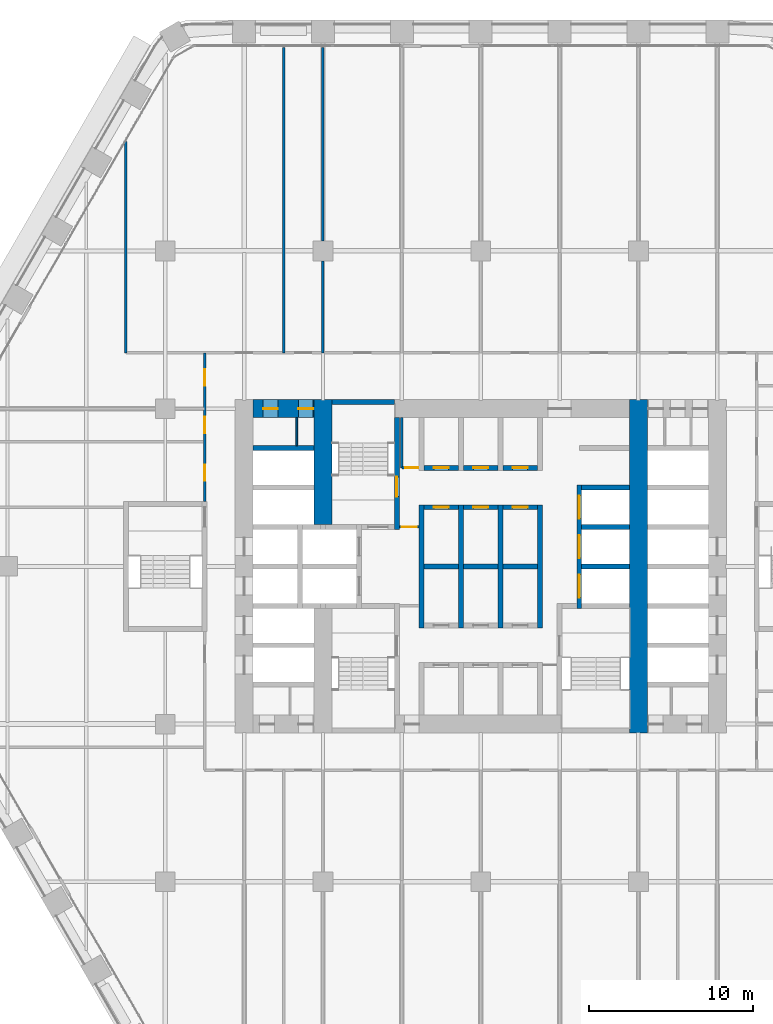
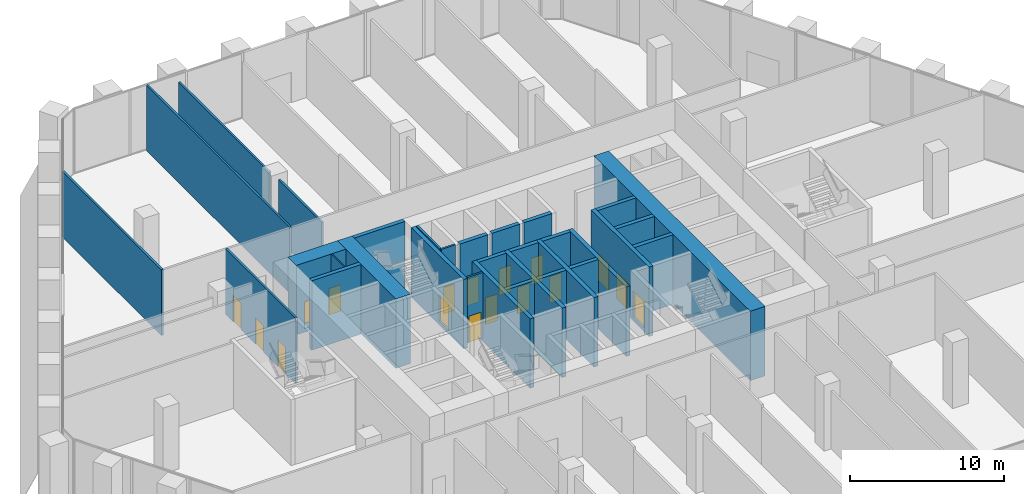
# One storey, part 20 of 27: 32 walls, 17 doors, 17 openings.
"""IFC4 building model written with IfcOpenShell, lengths in metres."""

from ifc_helpers import new_model, si_unit, direction, frame, frame_2d, origin, place, context, subcontext, project, spatial, rectangle, extrude, material, layer, layer_set, type_object, element, fill, save


model = new_model("IFC4")

# Units and contexts
model_context = context("Model", 3, precision=1e-05, world=origin(), true_north=direction((0.0, 1.0)))
body_context = subcontext(model_context, "Body", "Model", "MODEL_VIEW")
ifc_project = project(units=[si_unit("LENGTHUNIT", "METRE"), si_unit("AREAUNIT", "SQUARE_METRE"), si_unit("VOLUMEUNIT", "CUBIC_METRE"), si_unit("PLANEANGLEUNIT", "RADIAN"), si_unit("MASSUNIT", "GRAM", prefix="KILO")], contexts=[model_context])

# Site, building, storey
site_placement = place(None, origin())
site = spatial("IfcSite", under=ifc_project, at=site_placement, CompositionType="ELEMENT")
building_placement = place(site_placement, origin())
building = spatial("IfcBuilding", under=site, at=building_placement, Name="Kolab Exchange Tower", CompositionType="ELEMENT")
storey_placement = place(building_placement, frame((0.0, 0.0, 66.39990234375)))
storey = spatial("IfcBuildingStorey", under=building, at=storey_placement, Name="L12", CompositionType="ELEMENT", Elevation=66.39990234375)

# Wall, openings, doors
ifc_material_1 = material(Name="Concrete C80/95", Category="concrete")
ifc_layer_1 = layer(ifc_material_1, 1.10009765625)
ifc_layer_set_1 = layer_set([ifc_layer_1], Name="Concrete C80/95")
wall_type_1 = type_object("IfcWallType", Name="CORE WALL 1100 C80/95", PredefinedType="SHEAR", material=ifc_layer_set_1)
wall_1_placement = place(storey_placement, frame((-13.85009765625, 9.60009765625, -0.2998046875), z_axis=(0.0, 0.0, 1.0), x_axis=(1.0, 0.0, 0.0)))
wall_1 = element("IfcWall", 1, at=wall_1_placement, inside=storey, type_object=wall_type_1, Name="wall/L12/core/051", PredefinedType="SHEAR", context=body_context, shape_type="SweptSolid", body=[
    extrude(rectangle(XDim=3.7001953125, YDim=1.10009765625, at=frame_2d((1.85009765625, 0.0))), origin(), (0.0, 0.0, 1.0), 5.5),
])
opening_1_placement = place(wall_1_placement, frame((0.60009765625, 0.0, 0.300048828125)))
opening_1 = element("IfcOpeningElement", 2, at=opening_1_placement, cuts=wall_1, Name="Opening D6-159", PredefinedType="OPENING", context=body_context, shape_type="SweptSolid", body=[
    extrude(rectangle(XDim=0.89990234375, YDim=2.10009765625, at=frame_2d((0.449951171875, 1.050048828125))), frame((0.0, 0.56005859375, 0.0), z_axis=(0.0, -1.0, 0.0), x_axis=(1.0, 0.0, 0.0)), (0.0, 0.0, 1.0), 1.1201171875),
])
opening_2_placement = place(wall_1_placement, frame((2.75, 0.0, 0.300048828125)))
opening_2 = element("IfcOpeningElement", 3, at=opening_2_placement, cuts=wall_1, Name="Opening D6-160", PredefinedType="OPENING", context=body_context, shape_type="SweptSolid", body=[
    extrude(rectangle(XDim=0.89990234375, YDim=2.10009765625, at=frame_2d((0.449951171875, 1.050048828125))), frame((0.0, 0.56005859375, 0.0), z_axis=(0.0, -1.0, 0.0), x_axis=(1.0, 0.0, 0.0)), (0.0, 0.0, 1.0), 1.1201171875),
])
ifc_material_2 = material(Name="Steel S235", Category="steel")
door_type_1 = type_object("IfcDoorType", Name="CORE DOOR 900 EI 120", OperationType="SINGLE_SWING_LEFT", PredefinedType="DOOR", material=ifc_material_2)
door_1_placement = place(opening_1_placement, frame((0.89990234375, 0.0, 0.0), z_axis=(0.0, 0.0, 1.0), x_axis=(-1.0, 0.0, 0.0)))
door_1 = element("IfcDoor", 4, at=door_1_placement, inside=storey, type_object=door_type_1, Name="Service room door", OperationType="SINGLE_SWING_RIGHT", OverallHeight=2.10009765625, OverallWidth=0.89990234375, PredefinedType="DOOR", context=body_context, shape_type="SweptSolid", body=[
    extrude(rectangle(XDim=0.89990234375, YDim=2.10009765625, at=frame_2d((0.449951171875, 1.050048828125))), frame((0.0, 0.02490234375, 0.0), z_axis=(0.0, -1.0, 0.0), x_axis=(1.0, 0.0, 0.0)), (0.0, 0.0, 1.0), 0.050048828125),
])
fill(opening_1, door_1)
door_2_placement = place(opening_2_placement, frame((0.89990234375, 0.0, 0.0), z_axis=(0.0, 0.0, 1.0), x_axis=(-1.0, 0.0, 0.0)))
door_2 = element("IfcDoor", 5, at=door_2_placement, inside=storey, type_object=door_type_1, Name="Service room door", OperationType="SINGLE_SWING_LEFT", OverallHeight=2.10009765625, OverallWidth=0.89990234375, PredefinedType="DOOR", context=body_context, shape_type="SweptSolid", body=[
    extrude(rectangle(XDim=0.89990234375, YDim=2.10009765625, at=frame_2d((0.449951171875, 1.050048828125))), frame((0.0, 0.02490234375, 0.0), z_axis=(0.0, -1.0, 0.0), x_axis=(1.0, 0.0, 0.0)), (0.0, 0.0, 1.0), 0.050048828125),
])
fill(opening_2, door_2)

# Walls
wall_2_placement = place(storey_placement, frame((-9.60009765625, 2.550048828125, -0.2998046875), z_axis=(0.0, 0.0, 1.0), x_axis=(0.0, 1.0, 0.0)))
element("IfcWall", 6, at=wall_2_placement, inside=storey, type_object=wall_type_1, Name="wall/L12/core/062", PredefinedType="SHEAR", context=body_context, shape_type="SweptSolid", body=[
    extrude(rectangle(XDim=7.599853515625, YDim=1.10009765625, at=frame_2d((3.7998046875, 0.0))), origin(), (0.0, 0.0, 1.0), 5.5),
])
wall_3_placement = place(storey_placement, frame((9.60009765625, -10.14990234375, -0.2998046875), z_axis=(0.0, 0.0, 1.0), x_axis=(0.0, 1.0, 0.0)))
element("IfcWall", 7, at=wall_3_placement, inside=storey, type_object=wall_type_1, Name="wall/L12/core/080", PredefinedType="SHEAR", context=body_context, shape_type="SweptSolid", body=[
    extrude(rectangle(XDim=20.2998046875, YDim=1.10009765625, at=frame_2d((10.14990234375, 0.0))), origin(), (0.0, 0.0, 1.0), 5.5),
])
ifc_material_3 = material(Name="Concrete C50/60", Category="concrete")
ifc_layer_2 = layer(ifc_material_3, 0.300048828125)
ifc_layer_set_2 = layer_set([ifc_layer_2], Name="Concrete C50/60")
wall_type_2 = type_object("IfcWallType", Name="LIFT SHAFT WALL 300 C50/60", PredefinedType="STANDARD", material=ifc_layer_set_2)
wall_4_placement = place(storey_placement, frame((-3.449951171875, 0.0, -0.2998046875), z_axis=(0.0, 0.0, 1.0), x_axis=(1.0, 0.0, 0.0)))
element("IfcWall", 8, at=wall_4_placement, inside=storey, type_object=wall_type_2, Name="wall/L12/core/026", PredefinedType="STANDARD", context=body_context, shape_type="SweptSolid", body=[
    extrude(rectangle(XDim=2.099853515625, YDim=0.300048828125, at=frame_2d((1.0498046875, 0.0))), origin(), (0.0, 0.0, 1.0), 5.5),
])
wall_5_placement = place(storey_placement, frame((-1.050048828125, 0.0, -0.2998046875), z_axis=(0.0, 0.0, 1.0), x_axis=(1.0, 0.0, 0.0)))
element("IfcWall", 9, at=wall_5_placement, inside=storey, type_object=wall_type_2, Name="wall/L12/core/027", PredefinedType="STANDARD", context=body_context, shape_type="SweptSolid", body=[
    extrude(rectangle(XDim=2.10009765625, YDim=0.300048828125, at=frame_2d((1.050048828125, 0.0))), origin(), (0.0, 0.0, 1.0), 5.5),
])
wall_6_placement = place(storey_placement, frame((1.35009765625, 0.0, -0.2998046875), z_axis=(0.0, 0.0, 1.0), x_axis=(1.0, 0.0, 0.0)))
element("IfcWall", 10, at=wall_6_placement, inside=storey, type_object=wall_type_2, Name="wall/L12/core/028", PredefinedType="STANDARD", context=body_context, shape_type="SweptSolid", body=[
    extrude(rectangle(XDim=2.099853515625, YDim=0.300048828125, at=frame_2d((1.0498046875, 0.0))), origin(), (0.0, 0.0, 1.0), 5.5),
])
for number, where, z_axis, x_axis, name in (
    (11, (6.14990234375, 0.0, -0.2998046875), (0.0, 0.0, 1.0), (1.0, 0.0, 0.0), "wall/L12/core/029"),
    (12, (6.14990234375, 2.39990234375, -0.2998046875), (0.0, 0.0, 1.0), (1.0, 0.0, 0.0), "wall/L12/core/035"),
):
    element("IfcWall", number, at=place(storey_placement, frame(where, z_axis=z_axis, x_axis=x_axis)), inside=storey, type_object=wall_type_2, Name=name, PredefinedType="STANDARD", context=body_context, shape_type="SweptSolid", body=[
        extrude(rectangle(XDim=2.900146484375, YDim=0.300048828125, at=frame_2d((1.4501953125, 0.0))), origin(), (0.0, 0.0, 1.0), 5.5),
    ])

# Wall, opening, door
wall_7_placement = place(storey_placement, frame((-3.449951171875, 3.60009765625, -0.2998046875), z_axis=(0.0, 0.0, 1.0), x_axis=(1.0, 0.0, 0.0)))
wall_7 = element("IfcWall", 13, at=wall_7_placement, inside=storey, type_object=wall_type_2, Name="wall/L12/core/037", PredefinedType="STANDARD", context=body_context, shape_type="SweptSolid", body=[
    extrude(rectangle(XDim=2.099853515625, YDim=0.300048828125, at=frame_2d((1.0498046875, 0.0))), origin(), (0.0, 0.0, 1.0), 5.5),
])
opening_3_placement = place(wall_7_placement, frame((0.60009765625, 0.0, 0.300048828125)))
opening_3 = element("IfcOpeningElement", 14, at=opening_3_placement, cuts=wall_7, Name="Opening D6-151", PredefinedType="OPENING", context=body_context, shape_type="SweptSolid", body=[
    extrude(rectangle(XDim=0.89990234375, YDim=2.10009765625, at=frame_2d((0.449951171875, 1.050048828125))), frame((0.0, 0.16015625, 0.0), z_axis=(0.0, -1.0, 0.0), x_axis=(1.0, 0.0, 0.0)), (0.0, 0.0, 1.0), 0.320068359375),
])
door_3_placement = place(opening_3_placement, frame((0.89990234375, 0.0, 0.0), z_axis=(0.0, 0.0, 1.0), x_axis=(-1.0, 0.0, 0.0)))
door_3 = element("IfcDoor", 15, at=door_3_placement, inside=storey, type_object=door_type_1, Name="Service room door", OperationType="SINGLE_SWING_LEFT", OverallHeight=2.10009765625, OverallWidth=0.89990234375, PredefinedType="DOOR", context=body_context, shape_type="SweptSolid", body=[
    extrude(rectangle(XDim=0.89990234375, YDim=2.10009765625, at=frame_2d((0.449951171875, 1.050048828125))), frame((0.0, 0.02490234375, 0.0), z_axis=(0.0, -1.0, 0.0), x_axis=(1.0, 0.0, 0.0)), (0.0, 0.0, 1.0), 0.050048828125),
])
fill(opening_3, door_3)

wall_8_placement = place(storey_placement, frame((-1.050048828125, 3.60009765625, -0.2998046875), z_axis=(0.0, 0.0, 1.0), x_axis=(1.0, 0.0, 0.0)))
wall_8 = element("IfcWall", 16, at=wall_8_placement, inside=storey, type_object=wall_type_2, Name="wall/L12/core/038", PredefinedType="STANDARD", context=body_context, shape_type="SweptSolid", body=[
    extrude(rectangle(XDim=2.10009765625, YDim=0.300048828125, at=frame_2d((1.050048828125, 0.0))), origin(), (0.0, 0.0, 1.0), 5.5),
])
opening_4_placement = place(wall_8_placement, frame((0.60009765625, 0.0, 0.300048828125)))
opening_4 = element("IfcOpeningElement", 17, at=opening_4_placement, cuts=wall_8, Name="Opening D6-150", PredefinedType="OPENING", context=body_context, shape_type="SweptSolid", body=[
    extrude(rectangle(XDim=0.89990234375, YDim=2.10009765625, at=frame_2d((0.449951171875, 1.050048828125))), frame((0.0, 0.16015625, 0.0), z_axis=(0.0, -1.0, 0.0), x_axis=(1.0, 0.0, 0.0)), (0.0, 0.0, 1.0), 0.320068359375),
])
door_4_placement = place(opening_4_placement, frame((0.89990234375, 0.0, 0.0), z_axis=(0.0, 0.0, 1.0), x_axis=(-1.0, 0.0, 0.0)))
door_4 = element("IfcDoor", 18, at=door_4_placement, inside=storey, type_object=door_type_1, Name="Service room door", OperationType="SINGLE_SWING_LEFT", OverallHeight=2.10009765625, OverallWidth=0.89990234375, PredefinedType="DOOR", context=body_context, shape_type="SweptSolid", body=[
    extrude(rectangle(XDim=0.89990234375, YDim=2.10009765625, at=frame_2d((0.449951171875, 1.050048828125))), frame((0.0, 0.02490234375, 0.0), z_axis=(0.0, -1.0, 0.0), x_axis=(1.0, 0.0, 0.0)), (0.0, 0.0, 1.0), 0.050048828125),
])
fill(opening_4, door_4)

wall_9_placement = place(storey_placement, frame((1.35009765625, 3.60009765625, -0.2998046875), z_axis=(0.0, 0.0, 1.0), x_axis=(1.0, 0.0, 0.0)))
wall_9 = element("IfcWall", 19, at=wall_9_placement, inside=storey, type_object=wall_type_2, Name="wall/L12/core/039", PredefinedType="STANDARD", context=body_context, shape_type="SweptSolid", body=[
    extrude(rectangle(XDim=2.099853515625, YDim=0.300048828125, at=frame_2d((1.0498046875, 0.0))), origin(), (0.0, 0.0, 1.0), 5.5),
])
opening_5_placement = place(wall_9_placement, frame((0.60009765625, 0.0, 0.300048828125)))
opening_5 = element("IfcOpeningElement", 20, at=opening_5_placement, cuts=wall_9, Name="Opening D6-149", PredefinedType="OPENING", context=body_context, shape_type="SweptSolid", body=[
    extrude(rectangle(XDim=0.89990234375, YDim=2.10009765625, at=frame_2d((0.449951171875, 1.050048828125))), frame((0.0, 0.16015625, 0.0), z_axis=(0.0, -1.0, 0.0), x_axis=(1.0, 0.0, 0.0)), (0.0, 0.0, 1.0), 0.320068359375),
])
door_5_placement = place(opening_5_placement, frame((0.89990234375, 0.0, 0.0), z_axis=(0.0, 0.0, 1.0), x_axis=(-1.0, 0.0, 0.0)))
door_5 = element("IfcDoor", 21, at=door_5_placement, inside=storey, type_object=door_type_1, Name="Service room door", OperationType="SINGLE_SWING_RIGHT", OverallHeight=2.10009765625, OverallWidth=0.89990234375, PredefinedType="DOOR", context=body_context, shape_type="SweptSolid", body=[
    extrude(rectangle(XDim=0.89990234375, YDim=2.10009765625, at=frame_2d((0.449951171875, 1.050048828125))), frame((0.0, 0.02490234375, 0.0), z_axis=(0.0, -1.0, 0.0), x_axis=(1.0, 0.0, 0.0)), (0.0, 0.0, 1.0), 0.050048828125),
])
fill(opening_5, door_5)

# Wall
wall_10_placement = place(storey_placement, frame((6.14990234375, 4.800048828125, -0.2998046875), z_axis=(0.0, 0.0, 1.0), x_axis=(1.0, 0.0, 0.0)))
element("IfcWall", 22, at=wall_10_placement, inside=storey, type_object=wall_type_2, Name="wall/L12/core/043", PredefinedType="STANDARD", context=body_context, shape_type="SweptSolid", body=[
    extrude(rectangle(XDim=2.900146484375, YDim=0.300048828125, at=frame_2d((1.4501953125, 0.0))), origin(), (0.0, 0.0, 1.0), 5.5),
])

# Wall, opening, door
wall_11_placement = place(storey_placement, frame((-3.449951171875, 6.0, -0.2998046875), z_axis=(0.0, 0.0, 1.0), x_axis=(1.0, 0.0, 0.0)))
wall_11 = element("IfcWall", 23, at=wall_11_placement, inside=storey, type_object=wall_type_2, Name="wall/L12/core/045", PredefinedType="STANDARD", context=body_context, shape_type="SweptSolid", body=[
    extrude(rectangle(XDim=2.099853515625, YDim=0.300048828125, at=frame_2d((1.0498046875, 0.0))), origin(), (0.0, 0.0, 1.0), 5.5),
])
opening_6_placement = place(wall_11_placement, frame((0.60009765625, 0.0, 0.300048828125)))
opening_6 = element("IfcOpeningElement", 24, at=opening_6_placement, cuts=wall_11, Name="Opening D6-148", PredefinedType="OPENING", context=body_context, shape_type="SweptSolid", body=[
    extrude(rectangle(XDim=0.89990234375, YDim=2.10009765625, at=frame_2d((0.449951171875, 1.050048828125))), frame((0.0, 0.16015625, 0.0), z_axis=(0.0, -1.0, 0.0), x_axis=(1.0, 0.0, 0.0)), (0.0, 0.0, 1.0), 0.320068359375),
])
door_6_placement = place(opening_6_placement, origin())
door_6 = element("IfcDoor", 25, at=door_6_placement, inside=storey, type_object=door_type_1, Name="Service room door", OperationType="SINGLE_SWING_LEFT", OverallHeight=2.10009765625, OverallWidth=0.89990234375, PredefinedType="DOOR", context=body_context, shape_type="SweptSolid", body=[
    extrude(rectangle(XDim=0.89990234375, YDim=2.10009765625, at=frame_2d((0.449951171875, 1.050048828125))), frame((0.0, 0.02490234375, 0.0), z_axis=(0.0, -1.0, 0.0), x_axis=(1.0, 0.0, 0.0)), (0.0, 0.0, 1.0), 0.050048828125),
])
fill(opening_6, door_6)

wall_12_placement = place(storey_placement, frame((-1.050048828125, 6.0, -0.2998046875), z_axis=(0.0, 0.0, 1.0), x_axis=(1.0, 0.0, 0.0)))
wall_12 = element("IfcWall", 26, at=wall_12_placement, inside=storey, type_object=wall_type_2, Name="wall/L12/core/046", PredefinedType="STANDARD", context=body_context, shape_type="SweptSolid", body=[
    extrude(rectangle(XDim=2.10009765625, YDim=0.300048828125, at=frame_2d((1.050048828125, 0.0))), origin(), (0.0, 0.0, 1.0), 5.5),
])
opening_7_placement = place(wall_12_placement, frame((0.60009765625, 0.0, 0.300048828125)))
opening_7 = element("IfcOpeningElement", 27, at=opening_7_placement, cuts=wall_12, Name="Opening D6-147", PredefinedType="OPENING", context=body_context, shape_type="SweptSolid", body=[
    extrude(rectangle(XDim=0.89990234375, YDim=2.10009765625, at=frame_2d((0.449951171875, 1.050048828125))), frame((0.0, 0.16015625, 0.0), z_axis=(0.0, -1.0, 0.0), x_axis=(1.0, 0.0, 0.0)), (0.0, 0.0, 1.0), 0.320068359375),
])
door_7_placement = place(opening_7_placement, origin())
door_7 = element("IfcDoor", 28, at=door_7_placement, inside=storey, type_object=door_type_1, Name="Service room door", OperationType="SINGLE_SWING_LEFT", OverallHeight=2.10009765625, OverallWidth=0.89990234375, PredefinedType="DOOR", context=body_context, shape_type="SweptSolid", body=[
    extrude(rectangle(XDim=0.89990234375, YDim=2.10009765625, at=frame_2d((0.449951171875, 1.050048828125))), frame((0.0, 0.02490234375, 0.0), z_axis=(0.0, -1.0, 0.0), x_axis=(1.0, 0.0, 0.0)), (0.0, 0.0, 1.0), 0.050048828125),
])
fill(opening_7, door_7)

wall_13_placement = place(storey_placement, frame((1.35009765625, 6.0, -0.2998046875), z_axis=(0.0, 0.0, 1.0), x_axis=(1.0, 0.0, 0.0)))
wall_13 = element("IfcWall", 29, at=wall_13_placement, inside=storey, type_object=wall_type_2, Name="wall/L12/core/047", PredefinedType="STANDARD", context=body_context, shape_type="SweptSolid", body=[
    extrude(rectangle(XDim=2.099853515625, YDim=0.300048828125, at=frame_2d((1.0498046875, 0.0))), origin(), (0.0, 0.0, 1.0), 5.5),
])
opening_8_placement = place(wall_13_placement, frame((0.60009765625, 0.0, 0.300048828125)))
opening_8 = element("IfcOpeningElement", 30, at=opening_8_placement, cuts=wall_13, Name="Opening D6-146", PredefinedType="OPENING", context=body_context, shape_type="SweptSolid", body=[
    extrude(rectangle(XDim=0.89990234375, YDim=2.10009765625, at=frame_2d((0.449951171875, 1.050048828125))), frame((0.0, 0.16015625, 0.0), z_axis=(0.0, -1.0, 0.0), x_axis=(1.0, 0.0, 0.0)), (0.0, 0.0, 1.0), 0.320068359375),
])
door_8_placement = place(opening_8_placement, origin())
door_8 = element("IfcDoor", 31, at=door_8_placement, inside=storey, type_object=door_type_1, Name="Service room door", OperationType="SINGLE_SWING_RIGHT", OverallHeight=2.10009765625, OverallWidth=0.89990234375, PredefinedType="DOOR", context=body_context, shape_type="SweptSolid", body=[
    extrude(rectangle(XDim=0.89990234375, YDim=2.10009765625, at=frame_2d((0.449951171875, 1.050048828125))), frame((0.0, 0.02490234375, 0.0), z_axis=(0.0, -1.0, 0.0), x_axis=(1.0, 0.0, 0.0)), (0.0, 0.0, 1.0), 0.050048828125),
])
fill(opening_8, door_8)

# Walls
wall_14_placement = place(storey_placement, frame((-13.85009765625, 7.199951171875, -0.2998046875), z_axis=(0.0, 0.0, 1.0), x_axis=(1.0, 0.0, 0.0)))
element("IfcWall", 32, at=wall_14_placement, inside=storey, type_object=wall_type_2, Name="wall/L12/core/048", PredefinedType="STANDARD", context=body_context, shape_type="SweptSolid", body=[
    extrude(rectangle(XDim=3.7001953125, YDim=0.300048828125, at=frame_2d((1.85009765625, 0.0))), origin(), (0.0, 0.0, 1.0), 5.5),
])
for number, where, z_axis, x_axis, name in (
    (33, (-3.60009765625, -3.75, -0.2998046875), (0.0, 0.0, 1.0), (0.0, 1.0, 0.0), "wall/L12/core/067"),
    (34, (-1.199951171875, -3.75, -0.2998046875), (0.0, 0.0, 1.0), (0.0, 1.0, 0.0), "wall/L12/core/070"),
    (35, (1.199951171875, -3.75, -0.2998046875), (0.0, 0.0, 1.0), (0.0, 1.0, 0.0), "wall/L12/core/073"),
    (36, (3.60009765625, -3.75, -0.2998046875), (0.0, 0.0, 1.0), (0.0, 1.0, 0.0), "wall/L12/core/076"),
):
    element("IfcWall", number, at=place(storey_placement, frame(where, z_axis=z_axis, x_axis=x_axis)), inside=storey, type_object=wall_type_2, Name=name, PredefinedType="STANDARD", context=body_context, shape_type="SweptSolid", body=[
        extrude(rectangle(XDim=7.5, YDim=0.300048828125, at=frame_2d((3.75, 0.0))), origin(), (0.0, 0.0, 1.0), 5.5),
    ])

# Wall, openings, doors
wall_15_placement = place(storey_placement, frame((6.0, -2.550048828125, -0.2998046875), z_axis=(0.0, 0.0, 1.0), x_axis=(0.0, 1.0, 0.0)))
wall_15 = element("IfcWall", 37, at=wall_15_placement, inside=storey, type_object=wall_type_2, Name="wall/L12/core/079", PredefinedType="STANDARD", context=body_context, shape_type="SweptSolid", body=[
    extrude(rectangle(XDim=7.5, YDim=0.300048828125, at=frame_2d((3.75, 0.0))), origin(), (0.0, 0.0, 1.0), 5.5),
])
opening_9_placement = place(wall_15_placement, frame((0.64990234375, 0.0, 0.300048828125)))
opening_9 = element("IfcOpeningElement", 38, at=opening_9_placement, cuts=wall_15, Name="Opening LD3-019", PredefinedType="OPENING", context=body_context, shape_type="SweptSolid", body=[
    extrude(rectangle(XDim=1.39990234375, YDim=2.10009765625, at=frame_2d((0.699951171875, 1.050048828125))), frame((0.0, 0.16015625, 0.0), z_axis=(0.0, -1.0, 0.0), x_axis=(1.0, 0.0, 0.0)), (0.0, 0.0, 1.0), 0.320068359375),
])
opening_10_placement = place(wall_15_placement, frame((3.050048828125, 0.0, 0.300048828125)))
opening_10 = element("IfcOpeningElement", 39, at=opening_10_placement, cuts=wall_15, Name="Opening LD3-020", PredefinedType="OPENING", context=body_context, shape_type="SweptSolid", body=[
    extrude(rectangle(XDim=1.39990234375, YDim=2.10009765625, at=frame_2d((0.699951171875, 1.050048828125))), frame((0.0, 0.16015625, 0.0), z_axis=(0.0, -1.0, 0.0), x_axis=(1.0, 0.0, 0.0)), (0.0, 0.0, 1.0), 0.320068359375),
])
opening_11_placement = place(wall_15_placement, frame((5.449951171875, 0.0, 0.300048828125)))
opening_11 = element("IfcOpeningElement", 40, at=opening_11_placement, cuts=wall_15, Name="Opening LD3-021", PredefinedType="OPENING", context=body_context, shape_type="SweptSolid", body=[
    extrude(rectangle(XDim=1.39990234375, YDim=2.10009765625, at=frame_2d((0.699951171875, 1.050048828125))), frame((0.0, 0.16015625, 0.0), z_axis=(0.0, -1.0, 0.0), x_axis=(1.0, 0.0, 0.0)), (0.0, 0.0, 1.0), 0.320068359375),
])
ifc_material_4 = material(Name="Stainless steel 316", Category="steel")
door_type_2 = type_object("IfcDoorType", Name="LANDING DOOR 1400 SERVICE", OperationType="DOUBLE_DOOR_SLIDING", PredefinedType="DOOR", material=ifc_material_4)
door_9_placement = place(opening_9_placement, origin())
door_9 = element("IfcDoor", 41, at=door_9_placement, inside=storey, type_object=door_type_2, Name="Landing door SV1", OperationType="DOUBLE_DOOR_SLIDING", OverallHeight=2.10009765625, OverallWidth=1.39990234375, PredefinedType="DOOR", context=body_context, shape_type="SweptSolid", body=[
    extrude(rectangle(XDim=1.39990234375, YDim=2.10009765625, at=frame_2d((0.699951171875, 1.050048828125))), frame((0.0, 0.02490234375, 0.0), z_axis=(0.0, -1.0, 0.0), x_axis=(1.0, 0.0, 0.0)), (0.0, 0.0, 1.0), 0.050048828125),
])
fill(opening_9, door_9)
door_10_placement = place(opening_10_placement, origin())
door_10 = element("IfcDoor", 42, at=door_10_placement, inside=storey, type_object=door_type_2, Name="Landing door SV2", OperationType="DOUBLE_DOOR_SLIDING", OverallHeight=2.10009765625, OverallWidth=1.39990234375, PredefinedType="DOOR", context=body_context, shape_type="SweptSolid", body=[
    extrude(rectangle(XDim=1.39990234375, YDim=2.10009765625, at=frame_2d((0.699951171875, 1.050048828125))), frame((0.0, 0.02490234375, 0.0), z_axis=(0.0, -1.0, 0.0), x_axis=(1.0, 0.0, 0.0)), (0.0, 0.0, 1.0), 0.050048828125),
])
fill(opening_10, door_10)
door_11_placement = place(opening_11_placement, origin())
door_11 = element("IfcDoor", 43, at=door_11_placement, inside=storey, type_object=door_type_2, Name="Landing door SV3", OperationType="DOUBLE_DOOR_SLIDING", OverallHeight=2.10009765625, OverallWidth=1.39990234375, PredefinedType="DOOR", context=body_context, shape_type="SweptSolid", body=[
    extrude(rectangle(XDim=1.39990234375, YDim=2.10009765625, at=frame_2d((0.699951171875, 1.050048828125))), frame((0.0, 0.02490234375, 0.0), z_axis=(0.0, -1.0, 0.0), x_axis=(1.0, 0.0, 0.0)), (0.0, 0.0, 1.0), 0.050048828125),
])
fill(opening_11, door_11)

# Walls
ifc_material_5 = material(Name="Gypsum board", Category="gypsum")
ifc_layer_3 = layer(ifc_material_5, 0.10009765625)
ifc_layer_set_3 = layer_set([ifc_layer_3], Name="Gypsum board")
wall_type_3 = type_object("IfcWallType", Name="PARTITION 100", PredefinedType="PARTITIONING", material=ifc_layer_set_3)
wall_16_placement = place(storey_placement, frame((-11.199951171875, 7.35009765625, 0.0), z_axis=(0.0, 0.0, 1.0), x_axis=(0.0, 1.0, 0.0)))
element("IfcWall", 44, at=wall_16_placement, inside=storey, type_object=wall_type_3, Name="Partition 027", PredefinedType="PARTITIONING", context=body_context, shape_type="SweptSolid", body=[
    extrude(rectangle(XDim=1.699951171875, YDim=0.10009765625, at=frame_2d((0.85009765625, 0.0))), origin(), (0.0, 0.0, 1.0), 5.2001953125),
])
ifc_layer_4 = layer(ifc_material_5, 0.14990234375)
ifc_layer_set_4 = layer_set([ifc_layer_4], Name="Gypsum board")
wall_type_4 = type_object("IfcWallType", Name="PARTITION 150 FIRE-RATED", PredefinedType="PARTITIONING", material=ifc_layer_set_4)
wall_17_placement = place(storey_placement, frame((-4.800048828125, 6.0, 0.0), z_axis=(0.0, 0.0, 1.0), x_axis=(0.0, 1.0, 0.0)))
element("IfcWall", 45, at=wall_17_placement, inside=storey, type_object=wall_type_4, Name="Partition 021", PredefinedType="PARTITIONING", context=body_context, shape_type="SweptSolid", body=[
    extrude(rectangle(XDim=3.050048828125, YDim=0.14990234375, at=frame_2d((1.52490234375, 0.0))), origin(), (0.0, 0.0, 1.0), 5.2001953125),
])
wall_18_placement = place(storey_placement, frame((-9.60009765625, 13.0, 0.0), z_axis=(0.0, 0.0, 1.0), x_axis=(0.0, 1.0, 0.0)))
element("IfcWall", 46, at=wall_18_placement, inside=storey, type_object=wall_type_4, Name="Partition 025", PredefinedType="PARTITIONING", context=body_context, shape_type="SweptSolid", body=[
    extrude(rectangle(XDim=5.60009765625, YDim=0.14990234375, at=frame_2d((2.800048828125, 0.0))), origin(), (0.0, 0.0, 1.0), 4.7431640625),
])
wall_19_placement = place(storey_placement, frame((-9.60009765625, 19.800048828125, 0.0), z_axis=(0.0, 0.0, 1.0), x_axis=(0.0, 1.0, 0.0)))
element("IfcWall", 47, at=wall_19_placement, inside=storey, type_object=wall_type_4, Name="Partition 026", PredefinedType="PARTITIONING", context=body_context, shape_type="SweptSolid", body=[
    extrude(rectangle(XDim=11.785400390625, YDim=0.14990234375, at=frame_2d((5.892578125, 0.0))), origin(), (0.0, 0.0, 1.0), 4.592041015625),
])
wall_20_placement = place(storey_placement, frame((-12.0, 13.0, 0.0), z_axis=(0.0, 0.0, 1.0), x_axis=(0.0, 1.0, 0.0)))
element("IfcWall", 48, at=wall_20_placement, inside=storey, type_object=wall_type_4, Name="Partition 030", PredefinedType="PARTITIONING", context=body_context, shape_type="SweptSolid", body=[
    extrude(rectangle(XDim=18.58544921875, YDim=0.14990234375, at=frame_2d((9.292724609375, 0.0))), origin(), (0.0, 0.0, 1.0), 5.2001953125),
])

# Wall, openings, doors
wall_21_placement = place(storey_placement, frame((-16.800048828125, 3.949951171875, 0.0), z_axis=(0.0, 0.0, 1.0), x_axis=(0.0, 1.0, 0.0)))
wall_21 = element("IfcWall", 49, at=wall_21_placement, inside=storey, type_object=wall_type_4, Name="Partition 033", PredefinedType="PARTITIONING", context=body_context, shape_type="SweptSolid", body=[
    extrude(rectangle(XDim=9.050048828125, YDim=0.14990234375, at=frame_2d((4.52490234375, 0.0))), origin(), (0.0, 0.0, 1.0), 5.2001953125),
])
opening_12_placement = place(wall_21_placement, frame((1.25, 0.0, 0.0)))
opening_12 = element("IfcOpeningElement", 50, at=opening_12_placement, cuts=wall_21, Name="Opening D1-168", PredefinedType="OPENING", context=body_context, shape_type="SweptSolid", body=[
    extrude(rectangle(XDim=1.0, YDim=2.10009765625, at=frame_2d((0.5, 1.050048828125))), frame((0.0, 0.0849609375, 0.0), z_axis=(0.0, -1.0, 0.0), x_axis=(1.0, 0.0, 0.0)), (0.0, 0.0, 1.0), 0.169921875),
])
opening_13_placement = place(wall_21_placement, frame((4.14990234375, 0.0, 0.0)))
opening_13 = element("IfcOpeningElement", 51, at=opening_13_placement, cuts=wall_21, Name="Opening D1-169", PredefinedType="OPENING", context=body_context, shape_type="SweptSolid", body=[
    extrude(rectangle(XDim=1.0, YDim=2.10009765625, at=frame_2d((0.5, 1.050048828125))), frame((0.0, 0.0849609375, 0.0), z_axis=(0.0, -1.0, 0.0), x_axis=(1.0, 0.0, 0.0)), (0.0, 0.0, 1.0), 0.169921875),
])
opening_14_placement = place(wall_21_placement, frame((7.050048828125, 0.0, 0.0)))
opening_14 = element("IfcOpeningElement", 52, at=opening_14_placement, cuts=wall_21, Name="Opening D1-170", PredefinedType="OPENING", context=body_context, shape_type="SweptSolid", body=[
    extrude(rectangle(XDim=1.0, YDim=2.10009765625, at=frame_2d((0.5, 1.050048828125))), frame((0.0, 0.0849609375, 0.0), z_axis=(0.0, -1.0, 0.0), x_axis=(1.0, 0.0, 0.0)), (0.0, 0.0, 1.0), 0.169921875),
])
door_type_3 = type_object("IfcDoorType", Name="FLUSH DOOR 1000 FD60", OperationType="SINGLE_SWING_LEFT", PredefinedType="DOOR", material=ifc_material_2)
door_12_placement = place(opening_12_placement, origin())
door_12 = element("IfcDoor", 53, at=door_12_placement, inside=storey, type_object=door_type_3, Name="Door L12-074", OperationType="SINGLE_SWING_RIGHT", OverallHeight=2.10009765625, OverallWidth=1.0, PredefinedType="DOOR", context=body_context, shape_type="SweptSolid", body=[
    extrude(rectangle(XDim=1.0, YDim=2.10009765625, at=frame_2d((0.5, 1.050048828125))), frame((0.0, 0.02490234375, 0.0), z_axis=(0.0, -1.0, 0.0), x_axis=(1.0, 0.0, 0.0)), (0.0, 0.0, 1.0), 0.050048828125),
])
fill(opening_12, door_12)
door_13_placement = place(opening_13_placement, origin())
door_13 = element("IfcDoor", 54, at=door_13_placement, inside=storey, type_object=door_type_3, Name="Door L12-075", OperationType="SINGLE_SWING_RIGHT", OverallHeight=2.10009765625, OverallWidth=1.0, PredefinedType="DOOR", context=body_context, shape_type="SweptSolid", body=[
    extrude(rectangle(XDim=1.0, YDim=2.10009765625, at=frame_2d((0.5, 1.050048828125))), frame((0.0, 0.02490234375, 0.0), z_axis=(0.0, -1.0, 0.0), x_axis=(1.0, 0.0, 0.0)), (0.0, 0.0, 1.0), 0.050048828125),
])
fill(opening_13, door_13)
door_14_placement = place(opening_14_placement, origin())
door_14 = element("IfcDoor", 55, at=door_14_placement, inside=storey, type_object=door_type_3, Name="Door L12-076", OperationType="SINGLE_SWING_RIGHT", OverallHeight=2.10009765625, OverallWidth=1.0, PredefinedType="DOOR", context=body_context, shape_type="SweptSolid", body=[
    extrude(rectangle(XDim=1.0, YDim=2.10009765625, at=frame_2d((0.5, 1.050048828125))), frame((0.0, 0.02490234375, 0.0), z_axis=(0.0, -1.0, 0.0), x_axis=(1.0, 0.0, 0.0)), (0.0, 0.0, 1.0), 0.050048828125),
])
fill(opening_14, door_14)

# Wall
wall_22_placement = place(storey_placement, frame((-21.60009765625, 13.0, 0.0), z_axis=(0.0, 0.0, 1.0), x_axis=(0.0, 1.0, 0.0)))
element("IfcWall", 56, at=wall_22_placement, inside=storey, type_object=wall_type_4, Name="Partition 034", PredefinedType="PARTITIONING", context=body_context, shape_type="SweptSolid", body=[
    extrude(rectangle(XDim=12.8583984375, YDim=0.14990234375, at=frame_2d((6.42919921875, 0.0))), origin(), (0.0, 0.0, 1.0), 5.2001953125),
])

# Wall, opening, door
wall_23_placement = place(storey_placement, frame((-4.800048828125, 6.0, 0.0), z_axis=(0.0, 0.0, 1.0), x_axis=(1.0, 0.0, 0.0)))
wall_23 = element("IfcWall", 57, at=wall_23_placement, inside=storey, type_object=wall_type_4, Name="Partition 043", PredefinedType="PARTITIONING", context=body_context, shape_type="SweptSolid", body=[
    extrude(rectangle(XDim=1.050048828125, YDim=0.14990234375, at=frame_2d((0.52490234375, 0.0))), origin(), (0.0, 0.0, 1.0), 5.2001953125),
])
opening_15_placement = place(wall_23_placement, frame((0.199951171875, 0.0, 0.0)))
opening_15 = element("IfcOpeningElement", 58, at=opening_15_placement, cuts=wall_23, Name="Opening D7-014", PredefinedType="OPENING", context=body_context, shape_type="SweptSolid", body=[
    extrude(rectangle(XDim=0.800048828125, YDim=2.10009765625, at=frame_2d((0.39990234375, 1.050048828125))), frame((0.0, 0.0849609375, 0.0), z_axis=(0.0, -1.0, 0.0), x_axis=(1.0, 0.0, 0.0)), (0.0, 0.0, 1.0), 0.169921875),
])
door_type_4 = type_object("IfcDoorType", Name="FLUSH DOOR 800 FD60", OperationType="SINGLE_SWING_LEFT", PredefinedType="DOOR", material=ifc_material_2)
door_15_placement = place(opening_15_placement, origin())
door_15 = element("IfcDoor", 59, at=door_15_placement, inside=storey, type_object=door_type_4, Name="Door L12-042", OperationType="SINGLE_SWING_RIGHT", OverallHeight=2.10009765625, OverallWidth=0.800048828125, PredefinedType="DOOR", context=body_context, shape_type="SweptSolid", body=[
    extrude(rectangle(XDim=0.800048828125, YDim=2.10009765625, at=frame_2d((0.39990234375, 1.050048828125))), frame((0.0, 0.02490234375, 0.0), z_axis=(0.0, -1.0, 0.0), x_axis=(1.0, 0.0, 0.0)), (0.0, 0.0, 1.0), 0.050048828125),
])
fill(opening_15, door_15)

wall_24_placement = place(storey_placement, frame((-4.949951171875, 2.39990234375, 0.0), z_axis=(0.0, 0.0, 1.0), x_axis=(1.0, 0.0, 0.0)))
wall_24 = element("IfcWall", 60, at=wall_24_placement, inside=storey, type_object=wall_type_4, Name="Fire partition", PredefinedType="PARTITIONING", context=body_context, shape_type="SweptSolid", body=[
    extrude(rectangle(XDim=1.199951171875, YDim=0.14990234375, at=frame_2d((0.60009765625, 0.0))), origin(), (0.0, 0.0, 1.0), 5.2001953125),
])
opening_16_placement = place(wall_24_placement, frame((0.14990234375, 0.0, 0.0)))
opening_16 = element("IfcOpeningElement", 61, at=opening_16_placement, cuts=wall_24, Name="Opening D6-135", PredefinedType="OPENING", context=body_context, shape_type="SweptSolid", body=[
    extrude(rectangle(XDim=0.89990234375, YDim=2.10009765625, at=frame_2d((0.449951171875, 1.050048828125))), frame((0.0, 0.0849609375, 0.0), z_axis=(0.0, -1.0, 0.0), x_axis=(1.0, 0.0, 0.0)), (0.0, 0.0, 1.0), 0.169921875),
])
door_16_placement = place(opening_16_placement, frame((0.89990234375, 0.0, 0.0), z_axis=(0.0, 0.0, 1.0), x_axis=(-1.0, 0.0, 0.0)))
door_16 = element("IfcDoor", 62, at=door_16_placement, inside=storey, type_object=door_type_1, Name="Firefighting lobby door", OperationType="SINGLE_SWING_RIGHT", OverallHeight=2.10009765625, OverallWidth=0.89990234375, PredefinedType="DOOR", context=body_context, shape_type="SweptSolid", body=[
    extrude(rectangle(XDim=0.89990234375, YDim=2.10009765625, at=frame_2d((0.449951171875, 1.050048828125))), frame((0.0, 0.02490234375, 0.0), z_axis=(0.0, -1.0, 0.0), x_axis=(1.0, 0.0, 0.0)), (0.0, 0.0, 1.0), 0.050048828125),
])
fill(opening_16, door_16)

# Wall
ifc_layer_5 = layer(ifc_material_3, 0.300048828125)
ifc_layer_set_5 = layer_set([ifc_layer_5], Name="Concrete C50/60")
wall_type_5 = type_object("IfcWallType", Name="STAIR ENCLOSURE WALL 300 C50/60", PredefinedType="STANDARD", material=ifc_layer_set_5)
wall_25_placement = place(storey_placement, frame((-9.050048828125, 10.0, -0.2998046875), z_axis=(0.0, 0.0, 1.0), x_axis=(1.0, 0.0, 0.0)))
element("IfcWall", 63, at=wall_25_placement, inside=storey, type_object=wall_type_5, Name="wall/L12/core/054", PredefinedType="STANDARD", context=body_context, shape_type="SweptSolid", body=[
    extrude(rectangle(XDim=3.800048828125, YDim=0.300048828125, at=frame_2d((1.89990234375, 0.0))), origin(), (0.0, 0.0, 1.0), 5.5),
])

# Wall, opening, door
wall_26_placement = place(storey_placement, frame((-5.10009765625, 2.25, -0.2998046875), z_axis=(0.0, 0.0, 1.0), x_axis=(0.0, 1.0, 0.0)))
wall_26 = element("IfcWall", 64, at=wall_26_placement, inside=storey, type_object=wall_type_5, Name="wall/L12/core/065", PredefinedType="STANDARD", context=body_context, shape_type="SweptSolid", body=[
    extrude(rectangle(XDim=6.800048828125, YDim=0.300048828125, at=frame_2d((3.39990234375, 0.0))), origin(), (0.0, 0.0, 1.0), 5.5),
])
opening_17_placement = place(wall_26_placement, frame((2.0, 0.0, 0.300048828125)))
opening_17 = element("IfcOpeningElement", 65, at=opening_17_placement, cuts=wall_26, Name="Opening D4-032", PredefinedType="OPENING", context=body_context, shape_type="SweptSolid", body=[
    extrude(rectangle(XDim=1.199951171875, YDim=2.10009765625, at=frame_2d((0.60009765625, 1.050048828125))), frame((0.0, 0.16015625, 0.0), z_axis=(0.0, -1.0, 0.0), x_axis=(1.0, 0.0, 0.0)), (0.0, 0.0, 1.0), 0.320068359375),
])
door_type_5 = type_object("IfcDoorType", Name="STAIR DOOR 1200 EI 120", OperationType="SINGLE_SWING_LEFT", PredefinedType="DOOR", material=ifc_material_2)
door_17_placement = place(opening_17_placement, origin())
door_17 = element("IfcDoor", 66, at=door_17_placement, inside=storey, type_object=door_type_5, Name="Stair 1 door", OperationType="SINGLE_SWING_LEFT", OverallHeight=2.10009765625, OverallWidth=1.199951171875, PredefinedType="DOOR", context=body_context, shape_type="SweptSolid", body=[
    extrude(rectangle(XDim=1.199951171875, YDim=2.10009765625, at=frame_2d((0.60009765625, 1.050048828125))), frame((0.0, 0.02490234375, 0.0), z_axis=(0.0, -1.0, 0.0), x_axis=(1.0, 0.0, 0.0)), (0.0, 0.0, 1.0), 0.050048828125),
])
fill(opening_17, door_17)

save(model, "model.ifc")
